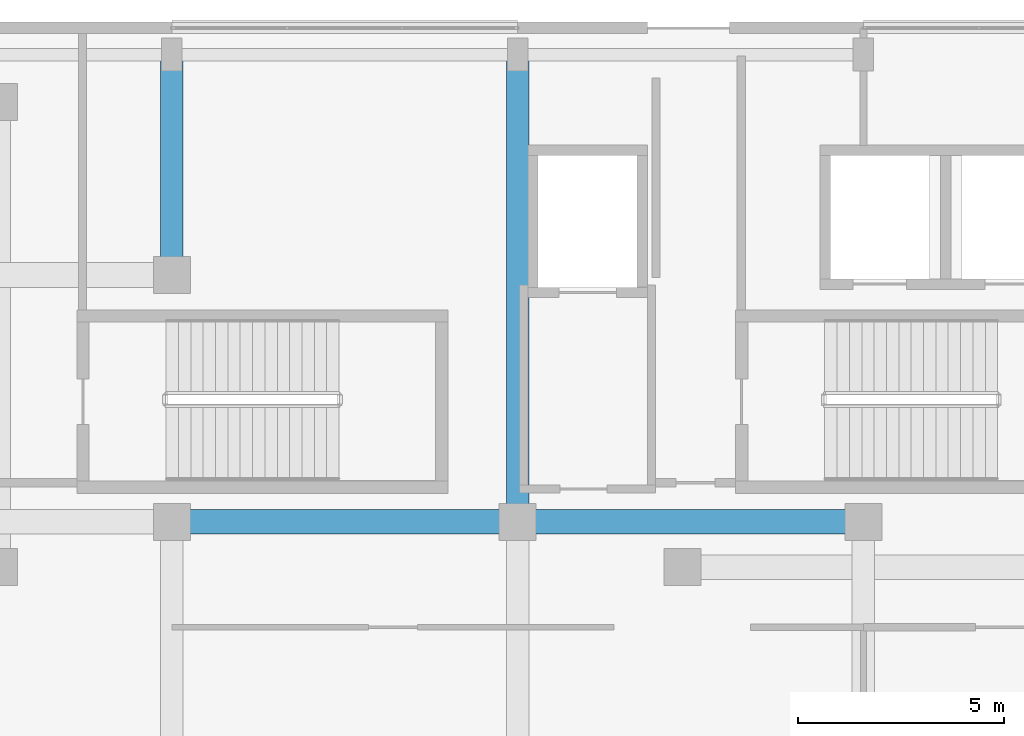
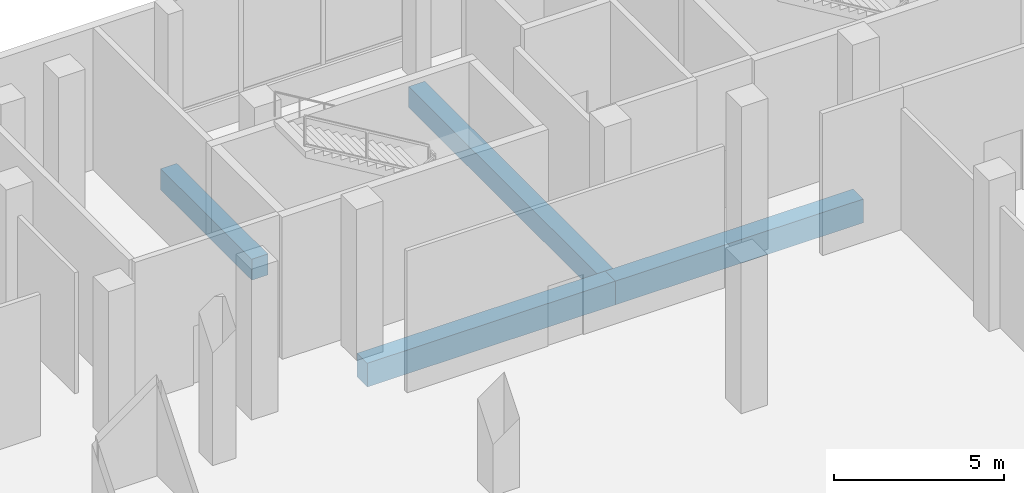
# One storey, part 89 of 158: 4 beams.
"""IFC4 building model written with IfcOpenShell, lengths in metres."""

from ifc_helpers import new_model, si_unit, direction, frame, origin, origin_2d, place, context, subcontext, project, spatial, rectangle, extrude, material, material_profile, profile_set, type_object, element, save


model = new_model("IFC4")

# Units and contexts
model_context = context("Model", 3, precision=1e-05, world=origin(), true_north=direction((0.0, 1.0)))
body_context = subcontext(model_context, "Body", "Model", "MODEL_VIEW")
ifc_project = project(units=[si_unit("LENGTHUNIT", "METRE"), si_unit("AREAUNIT", "SQUARE_METRE"), si_unit("VOLUMEUNIT", "CUBIC_METRE"), si_unit("PLANEANGLEUNIT", "RADIAN"), si_unit("MASSUNIT", "GRAM", prefix="KILO")], contexts=[model_context])

# Site, building, storey
site_placement = place(None, origin())
site = spatial("IfcSite", under=ifc_project, at=site_placement, CompositionType="ELEMENT")
building_placement = place(site_placement, origin())
building = spatial("IfcBuilding", under=site, at=building_placement, Name="Selatvlak General Hospital", CompositionType="ELEMENT")
storey_placement = place(building_placement, origin())
storey = spatial("IfcBuildingStorey", under=building, at=storey_placement, Name="L00", CompositionType="ELEMENT", Elevation=0.0)

# Beams
ifc_material = material(Name="Concrete C40/50", Category="concrete")
ifc_material_profile_1 = material_profile(ifc_material, rectangle(XDim=0.60009765625, YDim=0.85009765625, at=origin_2d()), Name="RC-BM 600x850")
ifc_profile_set_1 = profile_set([ifc_material_profile_1], Name="Concrete C40/50")
beam_type_1 = type_object("IfcBeamType", Name="BM-G01", PredefinedType="BEAM", material=ifc_profile_set_1)
beam_1_placement = place(storey_placement, frame((90.0, 108.0, -0.77490234375), z_axis=(1.0, 0.0, 0.0), x_axis=(0.0, 1.0, 0.0)))
element("IfcBeam", 1, at=beam_1_placement, inside=storey, type_object=beam_type_1, Name="Beam BMR-L00-0125", PredefinedType="BEAM", context=body_context, shape_type="SweptSolid", body=[
    extrude(rectangle(XDim=0.60009765625, YDim=0.85009765625, at=origin_2d()), origin(), (0.0, 0.0, 1.0), 8.39990234375),
])
beam_2_placement = place(storey_placement, frame((98.39990234375, 108.0, -0.77490234375), z_axis=(1.0, 0.0, 0.0), x_axis=(0.0, 1.0, 0.0)))
element("IfcBeam", 2, at=beam_2_placement, inside=storey, type_object=beam_type_1, Name="Beam BMR-L00-0126", PredefinedType="BEAM", context=body_context, shape_type="SweptSolid", body=[
    extrude(rectangle(XDim=0.60009765625, YDim=0.85009765625, at=origin_2d()), origin(), (0.0, 0.0, 1.0), 8.400146484375),
])
ifc_material_profile_2 = material_profile(ifc_material, rectangle(XDim=0.550048828125, YDim=0.75, at=origin_2d()), Name="RC-BM 550x750")
ifc_profile_set_2 = profile_set([ifc_material_profile_2], Name="Concrete C40/50")
beam_type_2 = type_object("IfcBeamType", Name="BM-G02", PredefinedType="BEAM", material=ifc_profile_set_2)
beam_3_placement = place(storey_placement, frame((90.0, 114.0, -0.72509765625), z_axis=(0.0, 1.0, 0.0), x_axis=(-1.0, 0.0, 0.0)))
element("IfcBeam", 3, at=beam_3_placement, inside=storey, type_object=beam_type_2, Name="Beam BMR-L00-0226", PredefinedType="BEAM", context=body_context, shape_type="SweptSolid", body=[
    extrude(rectangle(XDim=0.550048828125, YDim=0.75, at=origin_2d()), origin(), (0.0, 0.0, 1.0), 5.35009765625),
])
beam_4_placement = place(storey_placement, frame((98.39990234375, 108.0, -0.72509765625), z_axis=(0.0, 1.0, 0.0), x_axis=(-1.0, 0.0, 0.0)))
element("IfcBeam", 4, at=beam_4_placement, inside=storey, type_object=beam_type_2, Name="Beam BMR-L00-0230", PredefinedType="BEAM", context=body_context, shape_type="SweptSolid", body=[
    extrude(rectangle(XDim=0.550048828125, YDim=0.75, at=origin_2d()), origin(), (0.0, 0.0, 1.0), 11.35009765625),
])

save(model, "model.ifc")
